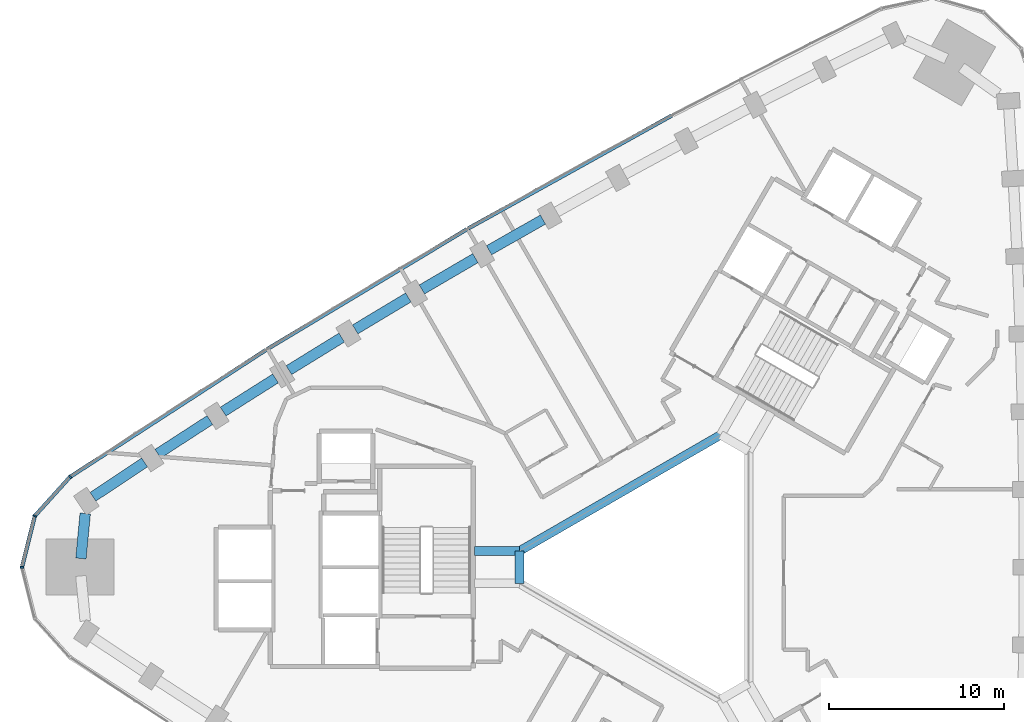
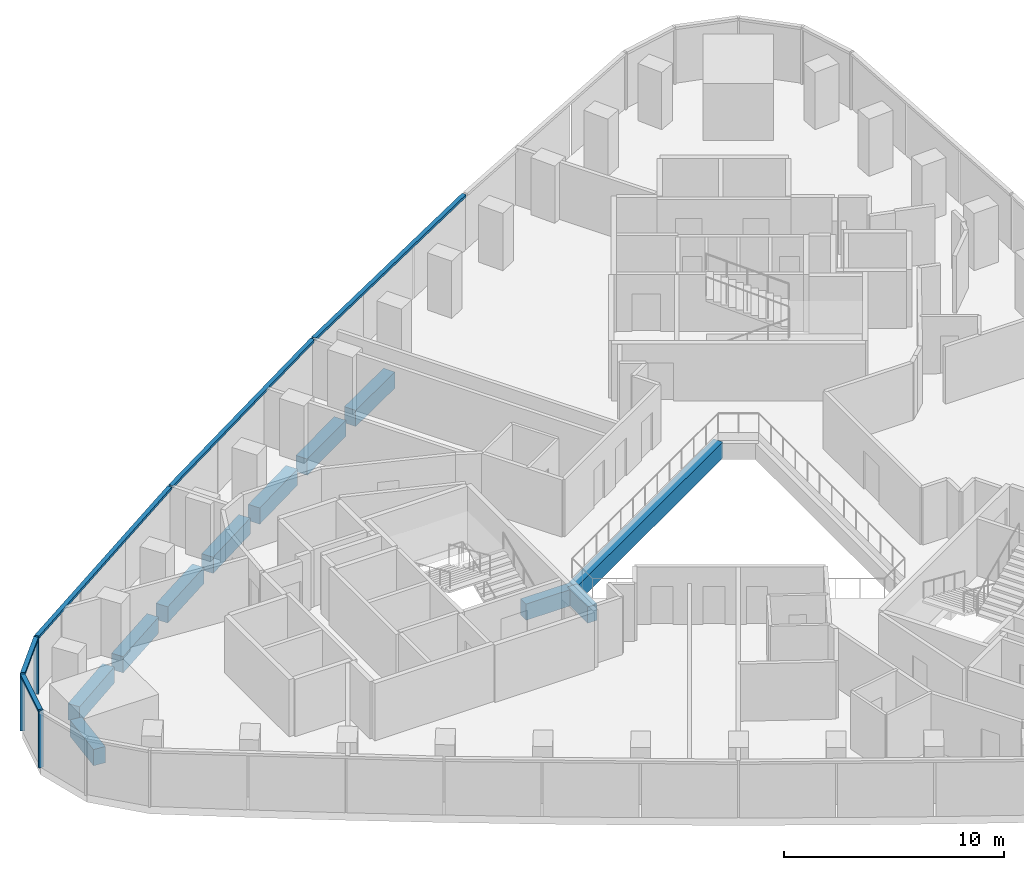
# One storey, part 4 of 12: 11 beams, 8 members, 1 element without a shape of its own.
"""IFC4 building model written with IfcOpenShell, lengths in metres."""

from ifc_helpers import new_model, si_unit, direction, frame, origin, origin_2d, place, context, subcontext, project, spatial, rectangle, extrude, material, material_profile, profile_set, type_object, element, aggregate, save


model = new_model("IFC4")

# Units and contexts
model_context = context("Model", 3, precision=1e-05, world=origin(), true_north=direction((0.0, 1.0)))
body_context = subcontext(model_context, "Body", "Model", "MODEL_VIEW")
ifc_project = project(units=[si_unit("LENGTHUNIT", "METRE"), si_unit("AREAUNIT", "SQUARE_METRE"), si_unit("VOLUMEUNIT", "CUBIC_METRE"), si_unit("PLANEANGLEUNIT", "RADIAN"), si_unit("MASSUNIT", "GRAM", prefix="KILO")], contexts=[model_context])

# Site, building, storey
site_placement = place(None, origin())
site = spatial("IfcSite", under=ifc_project, at=site_placement, CompositionType="ELEMENT")
building_placement = place(site_placement, origin())
building = spatial("IfcBuilding", under=site, at=building_placement, Name="Tamra Quay Hotel Tower", CompositionType="ELEMENT")
storey_placement = place(building_placement, frame((0.0, 0.0, 83.0)))
storey = spatial("IfcBuildingStorey", under=building, at=storey_placement, Name="L19", CompositionType="ELEMENT", Elevation=83.0)

# Beams
ifc_material_1 = material(Name="Concrete M60", Category="concrete")
ifc_material_profile_1 = material_profile(ifc_material_1, rectangle(XDim=0.5, YDim=0.89990234375, at=origin_2d()), Name="ATRIUM EDGE BEAM RC 500x900")
ifc_profile_set_1 = profile_set([ifc_material_profile_1], Name="Concrete M60")
beam_type_1 = type_object("IfcBeamType", Name="ATRIUM EDGE BEAM RC 500x900", PredefinedType="BEAM", material=ifc_profile_set_1)
beam_1_placement = place(storey_placement, frame((-8.199951171875, -0.923828125, -0.875), z_axis=(0.0, 1.0, 0.0), x_axis=(-1.0, 0.0, 0.0)))
element("IfcBeam", 1, at=beam_1_placement, inside=storey, type_object=beam_type_1, Name="BM-AB3-L19", PredefinedType="BEAM", context=body_context, shape_type="SweptSolid", body=[
    extrude(rectangle(XDim=0.5, YDim=0.89990234375, at=origin_2d()), origin(), (0.0, 0.0, 1.0), 1.84765625),
])
beam_2_placement = place(storey_placement, frame((-8.199951171875, 0.923828125, -0.875), z_axis=(0.866029440693, 0.499993007805, 0.0), x_axis=(-0.499993007805, 0.866029440693, 0.0)))
element("IfcBeam", 2, at=beam_2_placement, inside=storey, type_object=beam_type_1, Name="BM-AB4-L19", PredefinedType="BEAM", context=body_context, shape_type="SweptSolid", body=[
    extrude(rectangle(XDim=0.5, YDim=0.89990234375, at=origin_2d()), origin(), (0.0, 0.0, 1.0), 13.279052734375),
])
ifc_material_profile_2 = material_profile(ifc_material_1, rectangle(XDim=0.5, YDim=0.89990234375, at=origin_2d()), Name="ATRIUM TIE BEAM RC 500x900")
ifc_profile_set_2 = profile_set([ifc_material_profile_2], Name="Concrete M60")
beam_type_2 = type_object("IfcBeamType", Name="ATRIUM TIE BEAM RC 500x900", PredefinedType="BEAM", material=ifc_profile_set_2)
beam_3_placement = place(storey_placement, frame((-8.199951171875, 0.923828125, -0.875), z_axis=(-1.0, 0.0, 0.0), x_axis=(0.0, -1.0, 0.0)))
element("IfcBeam", 3, at=beam_3_placement, inside=storey, type_object=beam_type_2, Name="BM-TIE-4-L19", PredefinedType="BEAM", context=body_context, shape_type="SweptSolid", body=[
    extrude(rectangle(XDim=0.5, YDim=0.89990234375, at=origin_2d()), origin(), (0.0, 0.0, 1.0), 2.562255859375),
])

# Curtain wall, members
ifc_material_2 = material(Name="Aluminium 6063 anodised dark grey", Category="aluminium")
curtain_wall_type = type_object("IfcCurtainWallType", Name="CW2 CURTAIN WALL", PredefinedType="NOTDEFINED", material=ifc_material_2)
curtain_wall_placement = place(storey_placement, origin())
curtain_wall = element("IfcCurtainWall", 4, at=curtain_wall_placement, inside=storey, type_object=curtain_wall_type, Name="CW2 north-west face L19", PredefinedType="NOTDEFINED")
ifc_material_profile_3 = material_profile(ifc_material_2, rectangle(XDim=0.219970703125, YDim=0.10009765625, at=origin_2d()), Name="MULLION 100X220")
ifc_profile_set_3 = profile_set([ifc_material_profile_3], Name="Aluminium 6063 anodised dark grey")
member_type_1 = type_object("IfcMemberType", Name="MULLION CW2 Z2", PredefinedType="MULLION", material=ifc_profile_set_3)
member_1_placement = place(storey_placement, frame((-33.88525390625, 5.166015625, 0.0), z_axis=(0.0, 0.0, 1.0), x_axis=(-0.652886907072, 0.757455402366, 0.0)))
member_1 = element("IfcMember", 5, at=member_1_placement, type_object=member_type_1, Name="CW2 mullion L19.NW.13", PredefinedType="MULLION", context=body_context, shape_type="SweptSolid", body=[
    extrude(rectangle(XDim=0.219970703125, YDim=0.10009765625, at=origin_2d()), origin(), (0.0, 0.0, 1.0), 3.175048828125),
])
member_2_placement = place(storey_placement, frame((-35.90673828125, 2.9267578125, 0.0), z_axis=(0.0, 0.0, 1.0), x_axis=(-0.882543846683, 0.47023011248, 0.0)))
member_2 = element("IfcMember", 6, at=member_2_placement, type_object=member_type_1, Name="CW2 mullion L19.NW.14", PredefinedType="MULLION", context=body_context, shape_type="SweptSolid", body=[
    extrude(rectangle(XDim=0.219970703125, YDim=0.10009765625, at=origin_2d()), origin(), (0.0, 0.0, 1.0), 3.175048828125),
])
member_3_placement = place(storey_placement, frame((-36.6376953125, 0.0, 0.0), z_axis=(0.0, 0.0, 1.0), x_axis=(-1.0, 0.0, 0.0)))
member_3 = element("IfcMember", 7, at=member_3_placement, type_object=member_type_1, Name="CW2 mullion L19.NW.15", PredefinedType="MULLION", context=body_context, shape_type="SweptSolid", body=[
    extrude(rectangle(XDim=0.219970703125, YDim=0.10009765625, at=origin_2d()), origin(), (0.0, 0.0, 1.0), 3.175048828125),
])

# Beams
ifc_material_profile_4 = material_profile(ifc_material_1, rectangle(XDim=0.60009765625, YDim=0.89990234375, at=origin_2d()), Name="SPANDREL BEAM RC 600x900")
ifc_profile_set_4 = profile_set([ifc_material_profile_4], Name="Concrete M60")
beam_type_3 = type_object("IfcBeamType", Name="SPANDREL BEAM RC 600x900", PredefinedType="SPANDREL", material=ifc_profile_set_4)
beam_4_placement = place(storey_placement, frame((-6.8583984375, 19.868896484375, -0.875), z_axis=(-0.868869699181, -0.495040852704, 0.0), x_axis=(0.495040852704, -0.868869699181, 0.0)))
element("IfcBeam", 8, at=beam_4_placement, inside=storey, type_object=beam_type_3, Name="BM-SP2-019-L19", PredefinedType="SPANDREL", context=body_context, shape_type="SweptSolid", body=[
    extrude(rectangle(XDim=0.60009765625, YDim=0.89990234375, at=origin_2d()), origin(), (0.0, 0.0, 1.0), 3.544921875),
])
for number, where, z_axis, x_axis, name in (
    (9, (-10.718017578125, 17.6640625, -0.875), (-0.863128698129, -0.504984010109, 0.0), (0.504984010109, -0.863128698129, 0.0), "BM-SP2-020-L19"),
    (10, (-14.552001953125, 15.415283203125, -0.875), (-0.857286231776, -0.514840088578, 0.0), (0.514840088578, -0.857286231776, 0.0), "BM-SP2-021-L19"),
):
    element("IfcBeam", number, at=place(storey_placement, frame(where, z_axis=z_axis, x_axis=x_axis)), inside=storey, type_object=beam_type_3, Name=name, PredefinedType="SPANDREL", context=body_context, shape_type="SweptSolid", body=[
        extrude(rectangle(XDim=0.60009765625, YDim=0.89990234375, at=origin_2d()), origin(), (0.0, 0.0, 1.0), 3.544677734375),
    ])
for number, where, z_axis, x_axis, name in (
    (11, (-18.35986328125, 13.122802734375, -0.875), (-0.851393361846, -0.524527733685, 0.0), (0.524527733685, -0.851393361846, 0.0), "BM-SP2-022-L19"),
    (12, (-22.1416015625, 10.787109375, -0.875), (-0.845333394052, -0.534239134566, 0.0), (0.534239134566, -0.845333394052, 0.0), "BM-SP2-023-L19"),
):
    element("IfcBeam", number, at=place(storey_placement, frame(where, z_axis=z_axis, x_axis=x_axis)), inside=storey, type_object=beam_type_3, Name=name, PredefinedType="SPANDREL", context=body_context, shape_type="SweptSolid", body=[
        extrude(rectangle(XDim=0.60009765625, YDim=0.89990234375, at=origin_2d()), origin(), (0.0, 0.0, 1.0), 3.544921875),
    ])
beam_5_placement = place(storey_placement, frame((-25.896240234375, 8.408203125, -0.875), z_axis=(-0.839237385713, -0.543765216266, 0.0), x_axis=(0.543765216266, -0.839237385713, 0.0)))
element("IfcBeam", 13, at=beam_5_placement, inside=storey, type_object=beam_type_3, Name="BM-SP2-024-L19", PredefinedType="SPANDREL", context=body_context, shape_type="SweptSolid", body=[
    extrude(rectangle(XDim=0.60009765625, YDim=0.89990234375, at=origin_2d()), origin(), (0.0, 0.0, 1.0), 3.544677734375),
])
beam_6_placement = place(storey_placement, frame((-29.623779296875, 5.98681640625, -0.875), z_axis=(-0.832981511469, -0.55330082374, 0.0), x_axis=(0.55330082374, -0.832981511469, 0.0)))
element("IfcBeam", 14, at=beam_6_placement, inside=storey, type_object=beam_type_3, Name="BM-SP2-025-L19", PredefinedType="SPANDREL", context=body_context, shape_type="SweptSolid", body=[
    extrude(rectangle(XDim=0.60009765625, YDim=0.89990234375, at=origin_2d()), origin(), (0.0, 0.0, 1.0), 3.544921875),
])
beam_7_placement = place(storey_placement, frame((-33.019287109375, 3.070556640625, -0.875), z_axis=(-0.09550001445, -0.995429428558, 0.0), x_axis=(0.995429428558, -0.09550001445, 0.0)))
element("IfcBeam", 15, at=beam_7_placement, inside=storey, type_object=beam_type_3, Name="BM-SP2-026-L19", PredefinedType="SPANDREL", context=body_context, shape_type="SweptSolid", body=[
    extrude(rectangle(XDim=0.60009765625, YDim=0.89990234375, at=origin_2d()), origin(), (0.0, 0.0, 1.0), 2.58447265625),
])

# Member
ifc_material_profile_5 = material_profile(ifc_material_2, rectangle(XDim=0.219970703125, YDim=0.139892578125, at=origin_2d()), Name="TRANSOM 220X140")
ifc_profile_set_5 = profile_set([ifc_material_profile_5], Name="Aluminium 6063 anodised dark grey")
member_type_2 = type_object("IfcMemberType", Name="TRANSOM CW2 Z2", PredefinedType="USERDEFINED", material=ifc_profile_set_5)
member_4_placement = place(storey_placement, frame((0.499755859375, 25.813232421875, 3.10498046875), z_axis=(-0.874463819192, -0.48509074298, 0.0), x_axis=(0.48509074298, -0.874463819192, 0.0)))
member_4 = element("IfcMember", 16, at=member_4_placement, type_object=member_type_2, Name="CW2 transom L19.NW.4", ObjectType="TRANSOM", PredefinedType="USERDEFINED", context=body_context, shape_type="SweptSolid", body=[
    extrude(rectangle(XDim=0.219970703125, YDim=0.139892578125, at=origin_2d()), origin(), (0.0, 0.0, 1.0), 13.291259765625),
])

member_5_placement = place(storey_placement, frame((-11.209716796875, 19.315673828125, 3.10498046875), z_axis=(-0.857334050853, -0.514760454238, 0.0), x_axis=(0.514760454238, -0.857334050853, 0.0)))
member_5 = element("IfcMember", 17, at=member_5_placement, type_object=member_type_2, Name="CW2 transom L19.NW.7", ObjectType="TRANSOM", PredefinedType="USERDEFINED", context=body_context, shape_type="SweptSolid", body=[
    extrude(rectangle(XDim=0.219970703125, YDim=0.139892578125, at=origin_2d()), origin(), (0.0, 0.0, 1.0), 13.291259765625),
])

member_6_placement = place(storey_placement, frame((-22.689453125, 12.4208984375, 3.10498046875), z_axis=(-0.839227967527, -0.543779751849, 0.0), x_axis=(0.543779751849, -0.839227967527, 0.0)))
member_6 = element("IfcMember", 18, at=member_6_placement, type_object=member_type_2, Name="CW2 transom L19.NW.10", ObjectType="TRANSOM", PredefinedType="USERDEFINED", context=body_context, shape_type="SweptSolid", body=[
    extrude(rectangle(XDim=0.219970703125, YDim=0.139892578125, at=origin_2d()), origin(), (0.0, 0.0, 1.0), 13.290771484375),
])

member_7_placement = place(storey_placement, frame((-33.918701171875, 5.12890625, 3.10498046875), z_axis=(-0.670064659649, -0.742302736011, 0.0), x_axis=(0.742302736011, -0.670064659649, 0.0)))
member_7 = element("IfcMember", 19, at=member_7_placement, type_object=member_type_2, Name="CW2 transom L19.NW.13", ObjectType="TRANSOM", PredefinedType="USERDEFINED", context=body_context, shape_type="SweptSolid", body=[
    extrude(rectangle(XDim=0.219970703125, YDim=0.139892578125, at=origin_2d()), origin(), (0.0, 0.0, 1.0), 2.916748046875),
])

member_8_placement = place(storey_placement, frame((-35.918701171875, 2.878173828125, 3.10498046875), z_axis=(-0.242338656789, -0.970191720963, 0.0), x_axis=(0.970191720963, -0.242338656789, 0.0)))
member_8 = element("IfcMember", 20, at=member_8_placement, type_object=member_type_2, Name="CW2 transom L19.NW.14", ObjectType="TRANSOM", PredefinedType="USERDEFINED", context=body_context, shape_type="SweptSolid", body=[
    extrude(rectangle(XDim=0.219970703125, YDim=0.139892578125, at=origin_2d()), origin(), (0.0, 0.0, 1.0), 2.91650390625),
])

aggregate(curtain_wall, [member_4, member_5, member_6, member_1, member_7, member_2, member_8, member_3])

save(model, "model.ifc")
